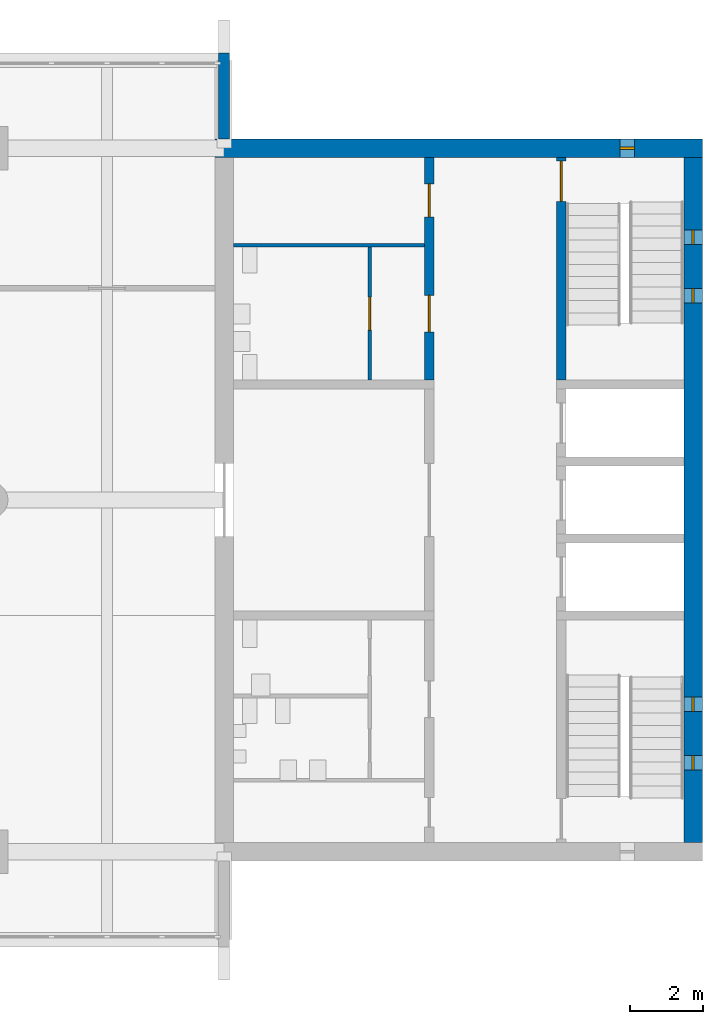
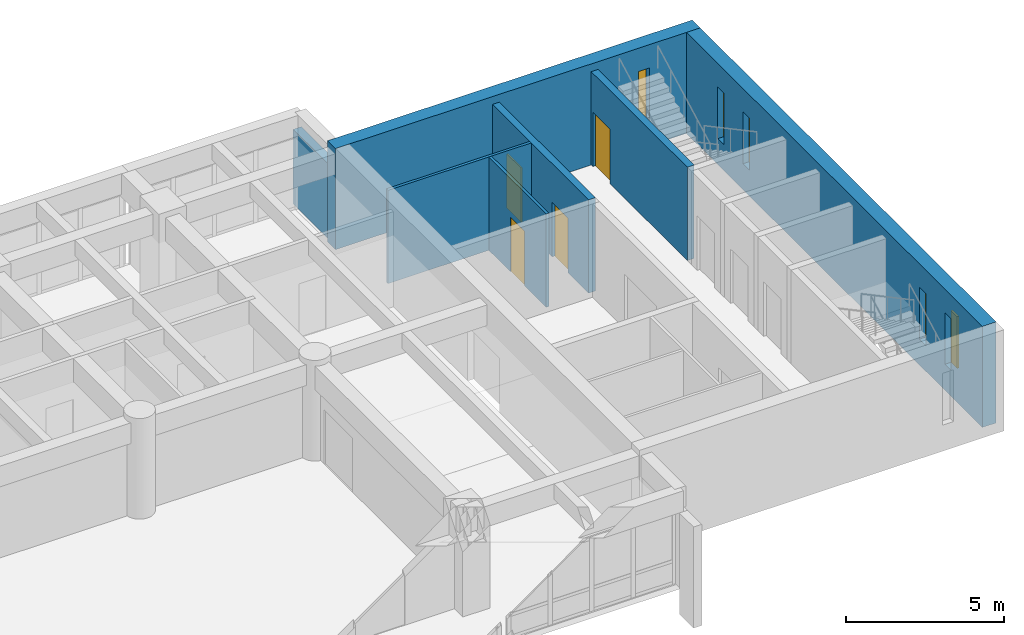
# One storey, part 12 of 15: 7 walls, 5 windows, 4 doors, 9 openings.
"""IFC4 building model written with IfcOpenShell, lengths in metres."""

from ifc_helpers import new_model, si_unit, direction, frame, frame_2d, origin, place, context, subcontext, project, spatial, rectangle, extrude, material, layer, layer_set, type_object, element, fill, save


model = new_model("IFC4")

# Units and contexts
model_context = context("Model", 3, precision=1e-05, world=origin(), true_north=direction((0.0, 1.0)))
body_context = subcontext(model_context, "Body", "Model", "MODEL_VIEW")
ifc_project = project(units=[si_unit("LENGTHUNIT", "METRE"), si_unit("AREAUNIT", "SQUARE_METRE"), si_unit("VOLUMEUNIT", "CUBIC_METRE"), si_unit("PLANEANGLEUNIT", "RADIAN"), si_unit("MASSUNIT", "GRAM", prefix="KILO")], contexts=[model_context])

# Site, building, storey
site_placement = place(None, origin())
site = spatial("IfcSite", under=ifc_project, at=site_placement, CompositionType="ELEMENT")
building_placement = place(site_placement, origin())
building = spatial("IfcBuilding", under=site, at=building_placement, Name="Fogon Plaza Fire Station and Headquarters Tower", CompositionType="ELEMENT")
storey_placement = place(building_placement, frame((0.0, 0.0, 32.699951171875)))
storey = spatial("IfcBuildingStorey", under=building, at=storey_placement, Name="L08", CompositionType="ELEMENT", Elevation=32.699951171875)

# Wall, opening, door
ifc_material_1 = material(Name="Concrete C40", Category="concrete")
ifc_layer_1 = layer(ifc_material_1, 0.25)
ifc_layer_set_1 = layer_set([ifc_layer_1], Name="Concrete C40")
wall_type_1 = type_object("IfcWallType", Name="Core Wall RC 250", PredefinedType="SOLIDWALL", material=ifc_layer_set_1)
wall_1_placement = place(storey_placement, frame((73.199951171875, 46.47509765625, 0.0), z_axis=(0.0, 0.0, 1.0), x_axis=(0.0, 1.0, 0.0)))
wall_1 = element("IfcWall", 1, at=wall_1_placement, inside=storey, type_object=wall_type_1, Name="Core B shaft wall", PredefinedType="SOLIDWALL", context=body_context, shape_type="SweptSolid", body=[
    extrude(rectangle(XDim=6.074951171875, YDim=0.25, at=frame_2d((3.03759765625, 0.0))), origin(), (0.0, 0.0, 1.0), 3.60009765625),
])
opening_1_placement = place(wall_1_placement, frame((4.875, 0.0, 0.0)))
opening_1 = element("IfcOpeningElement", 2, at=opening_1_placement, cuts=wall_1, Name="Opening L08-D16", PredefinedType="OPENING", context=body_context, shape_type="SweptSolid", body=[
    extrude(rectangle(XDim=1.10009765625, YDim=2.10009765625, at=frame_2d((0.550048828125, 1.050048828125))), frame((0.0, 0.135009765625, 0.0), z_axis=(0.0, -1.0, 0.0), x_axis=(1.0, 0.0, 0.0)), (0.0, 0.0, 1.0), 0.27001953125),
])
ifc_material_2 = material(Name="Steel Fire Door Leaf", Category="steel")
door_type_1 = type_object("IfcDoorType", Name="Stair Door Single 1100x2100", OperationType="SINGLE_SWING_LEFT", PredefinedType="DOOR", material=ifc_material_2)
door_1_placement = place(opening_1_placement, frame((1.10009765625, 0.0, 0.0), z_axis=(0.0, 0.0, 1.0), x_axis=(-1.0, 0.0, 0.0)))
door_1 = element("IfcDoor", 3, at=door_1_placement, inside=storey, type_object=door_type_1, Name="Stair door ST4", OperationType="SINGLE_SWING_LEFT", OverallHeight=2.10009765625, OverallWidth=1.10009765625, PredefinedType="DOOR", context=body_context, shape_type="SweptSolid", body=[
    extrude(rectangle(XDim=1.10009765625, YDim=2.10009765625, at=frame_2d((0.550048828125, 1.050048828125))), frame((0.0, 0.02490234375, 0.0), z_axis=(0.0, -1.0, 0.0), x_axis=(1.0, 0.0, 0.0)), (0.0, 0.0, 1.0), 0.050048828125),
])
fill(opening_1, door_1)

# Wall, openings, doors
wall_2_placement = place(storey_placement, frame((69.60009765625, 46.47509765625, 0.0), z_axis=(0.0, 0.0, 1.0), x_axis=(0.0, 1.0, 0.0)))
wall_2 = element("IfcWall", 4, at=wall_2_placement, inside=storey, type_object=wall_type_1, Name="Core B shaft wall", PredefinedType="SOLIDWALL", context=body_context, shape_type="SweptSolid", body=[
    extrude(rectangle(XDim=6.074951171875, YDim=0.25, at=frame_2d((3.03759765625, 0.0))), origin(), (0.0, 0.0, 1.0), 3.60009765625),
])
opening_2_placement = place(wall_2_placement, frame((1.3125, 0.0, 0.0)))
opening_2 = element("IfcOpeningElement", 5, at=opening_2_placement, cuts=wall_2, Name="Opening L08-D26", PredefinedType="OPENING", context=body_context, shape_type="SweptSolid", body=[
    extrude(rectangle(XDim=1.0, YDim=2.10009765625, at=frame_2d((0.5, 1.050048828125))), frame((0.0, 0.135009765625, 0.0), z_axis=(0.0, -1.0, 0.0), x_axis=(1.0, 0.0, 0.0)), (0.0, 0.0, 1.0), 0.27001953125),
])
opening_3_placement = place(wall_2_placement, frame((4.449951171875, 0.0, 0.0)))
opening_3 = element("IfcOpeningElement", 6, at=opening_3_placement, cuts=wall_2, Name="Opening L08-D28", PredefinedType="OPENING", context=body_context, shape_type="SweptSolid", body=[
    extrude(rectangle(XDim=0.89990234375, YDim=2.10009765625, at=frame_2d((0.449951171875, 1.050048828125))), frame((0.0, 0.135009765625, 0.0), z_axis=(0.0, -1.0, 0.0), x_axis=(1.0, 0.0, 0.0)), (0.0, 0.0, 1.0), 0.27001953125),
])
ifc_material_3 = material(Name="Steel Fire Door Leaf", Category="steel")
door_type_2 = type_object("IfcDoorType", Name="Riser Single 900x2100", OperationType="SINGLE_SWING_LEFT", PredefinedType="DOOR", material=ifc_material_3)
door_2_placement = place(opening_3_placement, origin())
door_2 = element("IfcDoor", 7, at=door_2_placement, inside=storey, type_object=door_type_2, Name="Riser room B door", OperationType="SINGLE_SWING_RIGHT", OverallHeight=2.10009765625, OverallWidth=0.89990234375, PredefinedType="DOOR", context=body_context, shape_type="SweptSolid", body=[
    extrude(rectangle(XDim=0.89990234375, YDim=2.10009765625, at=frame_2d((0.449951171875, 1.050048828125))), frame((0.0, 0.02490234375, 0.0), z_axis=(0.0, -1.0, 0.0), x_axis=(1.0, 0.0, 0.0)), (0.0, 0.0, 1.0), 0.050048828125),
])
fill(opening_3, door_2)
ifc_material_4 = material(Name="Timber fire door", Category="wood")
door_type_3 = type_object("IfcDoorType", Name="WC Lobby Single 1000x2100", OperationType="SINGLE_SWING_LEFT", PredefinedType="DOOR", material=ifc_material_4)
door_3_placement = place(opening_2_placement, origin())
door_3 = element("IfcDoor", 8, at=door_3_placement, inside=storey, type_object=door_type_3, Name="Women's WC lobby B door", OperationType="SINGLE_SWING_RIGHT", OverallHeight=2.10009765625, OverallWidth=1.0, PredefinedType="DOOR", context=body_context, shape_type="SweptSolid", body=[
    extrude(rectangle(XDim=1.0, YDim=2.10009765625, at=frame_2d((0.5, 1.050048828125))), frame((0.0, 0.02490234375, 0.0), z_axis=(0.0, -1.0, 0.0), x_axis=(1.0, 0.0, 0.0)), (0.0, 0.0, 1.0), 0.050048828125),
])
fill(opening_2, door_3)

# Wall
ifc_material_5 = material(Name="Concrete C40", Category="concrete")
ifc_layer_2 = layer(ifc_material_5, 0.300048828125)
ifc_layer_set_2 = layer_set([ifc_layer_2], Name="Concrete C40")
wall_type_2 = type_object("IfcWallType", Name="Fair-faced RC Return Panel 300", PredefinedType="SOLIDWALL", material=ifc_layer_set_2)
wall_3_placement = place(storey_placement, frame((64.0, 53.050048828125, 0.0), z_axis=(0.0, 0.0, 1.0), x_axis=(0.0, 1.0, 0.0)))
element("IfcWall", 9, at=wall_3_placement, inside=storey, type_object=wall_type_2, Name="Bar end return EN L08", PredefinedType="SOLIDWALL", context=body_context, shape_type="SweptSolid", body=[
    extrude(rectangle(XDim=2.349853515625, YDim=0.300048828125, at=frame_2d((1.1748046875, 0.0))), origin(), (0.0, 0.0, 1.0), 2.880126953125),
])

# Wall, opening, door
ifc_material_6 = material(Name="Blockwork", Category="masonry")
ifc_layer_3 = layer(ifc_material_6, 0.10009765625)
ifc_layer_set_3 = layer_set([ifc_layer_3], Name="Blockwork")
wall_type_3 = type_object("IfcWallType", Name="Partition Blockwork 100", PredefinedType="PARTITIONING", material=ifc_layer_set_3)
wall_4_placement = place(storey_placement, frame((67.97509765625, 46.47509765625, 0.0), z_axis=(0.0, 0.0, 1.0), x_axis=(0.0, 1.0, 0.0)))
wall_4 = element("IfcWall", 10, at=wall_4_placement, inside=storey, type_object=wall_type_3, Name="WC block partition", PredefinedType="PARTITIONING", context=body_context, shape_type="SweptSolid", body=[
    extrude(rectangle(XDim=3.625, YDim=0.10009765625, at=frame_2d((1.8125, 0.0))), origin(), (0.0, 0.0, 1.0), 3.60009765625),
])
opening_4_placement = place(wall_4_placement, frame((1.362548828125, 0.0, 0.0)))
opening_4 = element("IfcOpeningElement", 11, at=opening_4_placement, cuts=wall_4, Name="Opening L08-D27", PredefinedType="OPENING", context=body_context, shape_type="SweptSolid", body=[
    extrude(rectangle(XDim=0.89990234375, YDim=2.10009765625, at=frame_2d((0.449951171875, 1.050048828125))), frame((0.0, 0.06005859375, 0.0), z_axis=(0.0, -1.0, 0.0), x_axis=(1.0, 0.0, 0.0)), (0.0, 0.0, 1.0), 0.1201171875),
])
ifc_material_7 = material(Name="Timber Door Leaf", Category="wood")
door_type_4 = type_object("IfcDoorType", Name="WC Single 900x2100", OperationType="SINGLE_SWING_LEFT", PredefinedType="DOOR", material=ifc_material_7)
door_4_placement = place(opening_4_placement, origin())
door_4 = element("IfcDoor", 12, at=door_4_placement, inside=storey, type_object=door_type_4, Name="Women's WC B door", OperationType="SINGLE_SWING_LEFT", OverallHeight=2.10009765625, OverallWidth=0.89990234375, PredefinedType="DOOR", context=body_context, shape_type="SweptSolid", body=[
    extrude(rectangle(XDim=0.89990234375, YDim=2.10009765625, at=frame_2d((0.449951171875, 1.050048828125))), frame((0.0, 0.02490234375, 0.0), z_axis=(0.0, -1.0, 0.0), x_axis=(1.0, 0.0, 0.0)), (0.0, 0.0, 1.0), 0.050048828125),
])
fill(opening_4, door_4)

# Wall
ifc_material_8 = material(Name="Blockwork", Category="masonry")
ifc_layer_4 = layer(ifc_material_8, 0.10009765625)
ifc_layer_set_4 = layer_set([ifc_layer_4], Name="Blockwork")
wall_type_4 = type_object("IfcWallType", Name="Riser Partition Blockwork 100", PredefinedType="PARTITIONING", material=ifc_layer_set_4)
wall_5_placement = place(storey_placement, frame((69.47509765625, 50.14990234375, 0.0), z_axis=(0.0, 0.0, 1.0), x_axis=(-1.0, 0.0, 0.0)))
element("IfcWall", 13, at=wall_5_placement, inside=storey, type_object=wall_type_4, Name="Riser room partition", PredefinedType="PARTITIONING", context=body_context, shape_type="SweptSolid", body=[
    extrude(rectangle(XDim=5.22509765625, YDim=0.10009765625, at=frame_2d((2.612548828125, 0.0))), origin(), (0.0, 0.0, 1.0), 3.60009765625),
])

# Wall, opening, window
ifc_material_9 = material(Name="Concrete C40", Category="concrete")
ifc_layer_5 = layer(ifc_material_9, 0.5)
ifc_layer_set_5 = layer_set([ifc_layer_5], Name="Concrete C40")
wall_type_5 = type_object("IfcWallType", Name="Shear wall 500 SW50", PredefinedType="SHEAR", material=ifc_layer_set_5)
wall_6_placement = place(storey_placement, frame((63.75, 52.800048828125, 0.0), z_axis=(0.0, 0.0, 1.0), x_axis=(1.0, 0.0, 0.0)))
wall_6 = element("IfcWall", 14, at=wall_6_placement, inside=storey, type_object=wall_type_5, Name="wall-coreB-N-L08", PredefinedType="SHEAR", context=body_context, shape_type="SweptSolid", body=[
    extrude(rectangle(XDim=13.300048828125, YDim=0.5, at=frame_2d((6.64990234375, 0.0))), origin(), (0.0, 0.0, 1.0), 3.900146484375),
])
opening_5_placement = place(wall_6_placement, frame((11.050048828125, 0.0, 1.0)))
opening_5 = element("IfcOpeningElement", 15, at=opening_5_placement, cuts=wall_6, Name="Opening WS1", PredefinedType="OPENING", context=body_context, shape_type="SweptSolid", body=[
    extrude(rectangle(XDim=0.39990234375, YDim=2.0, at=frame_2d((0.199951171875, 1.0))), frame((0.0, 0.260009765625, 0.0), z_axis=(0.0, -1.0, 0.0), x_axis=(1.0, 0.0, 0.0)), (0.0, 0.0, 1.0), 0.52001953125),
])
ifc_material_10 = material(Name="Aluminium framed double glazing", Category="aluminium")
window_type = type_object("IfcWindowType", Name="Slit Window WS1 400x2000", PartitioningType="SINGLE_PANEL", PredefinedType="WINDOW", material=ifc_material_10)
window_1_placement = place(opening_5_placement, origin())
window_1 = element("IfcWindow", 16, at=window_1_placement, inside=storey, type_object=window_type, Name="Slit window B6 L08", OverallHeight=2.0, OverallWidth=0.39990234375, PartitioningType="SINGLE_PANEL", PredefinedType="WINDOW", context=body_context, shape_type="SweptSolid", body=[
    extrude(rectangle(XDim=0.39990234375, YDim=2.0, at=frame_2d((0.199951171875, 1.0))), frame((0.0, 0.030029296875, 0.0), z_axis=(0.0, -1.0, 0.0), x_axis=(1.0, 0.0, 0.0)), (0.0, 0.0, 1.0), 0.06005859375),
])
fill(opening_5, window_1)

# Wall, openings, windows
wall_7_placement = place(storey_placement, frame((76.800048828125, 33.85009765625, 0.0), z_axis=(0.0, 0.0, 1.0), x_axis=(0.0, 1.0, 0.0)))
wall_7 = element("IfcWall", 17, at=wall_7_placement, inside=storey, type_object=wall_type_5, Name="wall-coreB-E-L08", PredefinedType="SHEAR", context=body_context, shape_type="SweptSolid", body=[
    extrude(rectangle(XDim=18.699951171875, YDim=0.5, at=frame_2d((9.35009765625, 0.0))), origin(), (0.0, 0.0, 1.0), 3.900146484375),
])
opening_6_placement = place(wall_7_placement, frame((1.97509765625, 0.0, 1.0)))
opening_6 = element("IfcOpeningElement", 18, at=opening_6_placement, cuts=wall_7, Name="Opening WS1", PredefinedType="OPENING", context=body_context, shape_type="SweptSolid", body=[
    extrude(rectangle(XDim=0.39990234375, YDim=2.0, at=frame_2d((0.199951171875, 1.0))), frame((0.0, 0.260009765625, 0.0), z_axis=(0.0, -1.0, 0.0), x_axis=(1.0, 0.0, 0.0)), (0.0, 0.0, 1.0), 0.52001953125),
])
opening_7_placement = place(wall_7_placement, frame((3.574951171875, 0.0, 1.0)))
opening_7 = element("IfcOpeningElement", 19, at=opening_7_placement, cuts=wall_7, Name="Opening WS1", PredefinedType="OPENING", context=body_context, shape_type="SweptSolid", body=[
    extrude(rectangle(XDim=0.39990234375, YDim=2.0, at=frame_2d((0.199951171875, 1.0))), frame((0.0, 0.260009765625, 0.0), z_axis=(0.0, -1.0, 0.0), x_axis=(1.0, 0.0, 0.0)), (0.0, 0.0, 1.0), 0.52001953125),
])
opening_8_placement = place(wall_7_placement, frame((14.72509765625, 0.0, 1.0)))
opening_8 = element("IfcOpeningElement", 20, at=opening_8_placement, cuts=wall_7, Name="Opening WS1", PredefinedType="OPENING", context=body_context, shape_type="SweptSolid", body=[
    extrude(rectangle(XDim=0.39990234375, YDim=2.0, at=frame_2d((0.199951171875, 1.0))), frame((0.0, 0.260009765625, 0.0), z_axis=(0.0, -1.0, 0.0), x_axis=(1.0, 0.0, 0.0)), (0.0, 0.0, 1.0), 0.52001953125),
])
opening_9_placement = place(wall_7_placement, frame((16.324951171875, 0.0, 1.0)))
opening_9 = element("IfcOpeningElement", 21, at=opening_9_placement, cuts=wall_7, Name="Opening WS1", PredefinedType="OPENING", context=body_context, shape_type="SweptSolid", body=[
    extrude(rectangle(XDim=0.39990234375, YDim=2.0, at=frame_2d((0.199951171875, 1.0))), frame((0.0, 0.260009765625, 0.0), z_axis=(0.0, -1.0, 0.0), x_axis=(1.0, 0.0, 0.0)), (0.0, 0.0, 1.0), 0.52001953125),
])
window_2_placement = place(opening_6_placement, origin())
window_2 = element("IfcWindow", 22, at=window_2_placement, inside=storey, type_object=window_type, Name="Slit window B1 L08", OverallHeight=2.0, OverallWidth=0.39990234375, PartitioningType="SINGLE_PANEL", PredefinedType="WINDOW", context=body_context, shape_type="SweptSolid", body=[
    extrude(rectangle(XDim=0.39990234375, YDim=2.0, at=frame_2d((0.199951171875, 1.0))), frame((0.0, 0.030029296875, 0.0), z_axis=(0.0, -1.0, 0.0), x_axis=(1.0, 0.0, 0.0)), (0.0, 0.0, 1.0), 0.06005859375),
])
fill(opening_6, window_2)
window_3_placement = place(opening_7_placement, origin())
window_3 = element("IfcWindow", 23, at=window_3_placement, inside=storey, type_object=window_type, Name="Slit window B2 L08", OverallHeight=2.0, OverallWidth=0.39990234375, PartitioningType="SINGLE_PANEL", PredefinedType="WINDOW", context=body_context, shape_type="SweptSolid", body=[
    extrude(rectangle(XDim=0.39990234375, YDim=2.0, at=frame_2d((0.199951171875, 1.0))), frame((0.0, 0.030029296875, 0.0), z_axis=(0.0, -1.0, 0.0), x_axis=(1.0, 0.0, 0.0)), (0.0, 0.0, 1.0), 0.06005859375),
])
fill(opening_7, window_3)
window_4_placement = place(opening_8_placement, origin())
window_4 = element("IfcWindow", 24, at=window_4_placement, inside=storey, type_object=window_type, Name="Slit window B3 L08", OverallHeight=2.0, OverallWidth=0.39990234375, PartitioningType="SINGLE_PANEL", PredefinedType="WINDOW", context=body_context, shape_type="SweptSolid", body=[
    extrude(rectangle(XDim=0.39990234375, YDim=2.0, at=frame_2d((0.199951171875, 1.0))), frame((0.0, 0.030029296875, 0.0), z_axis=(0.0, -1.0, 0.0), x_axis=(1.0, 0.0, 0.0)), (0.0, 0.0, 1.0), 0.06005859375),
])
fill(opening_8, window_4)
window_5_placement = place(opening_9_placement, origin())
window_5 = element("IfcWindow", 25, at=window_5_placement, inside=storey, type_object=window_type, Name="Slit window B4 L08", OverallHeight=2.0, OverallWidth=0.39990234375, PartitioningType="SINGLE_PANEL", PredefinedType="WINDOW", context=body_context, shape_type="SweptSolid", body=[
    extrude(rectangle(XDim=0.39990234375, YDim=2.0, at=frame_2d((0.199951171875, 1.0))), frame((0.0, 0.030029296875, 0.0), z_axis=(0.0, -1.0, 0.0), x_axis=(1.0, 0.0, 0.0)), (0.0, 0.0, 1.0), 0.06005859375),
])
fill(opening_9, window_5)

save(model, "model.ifc")
